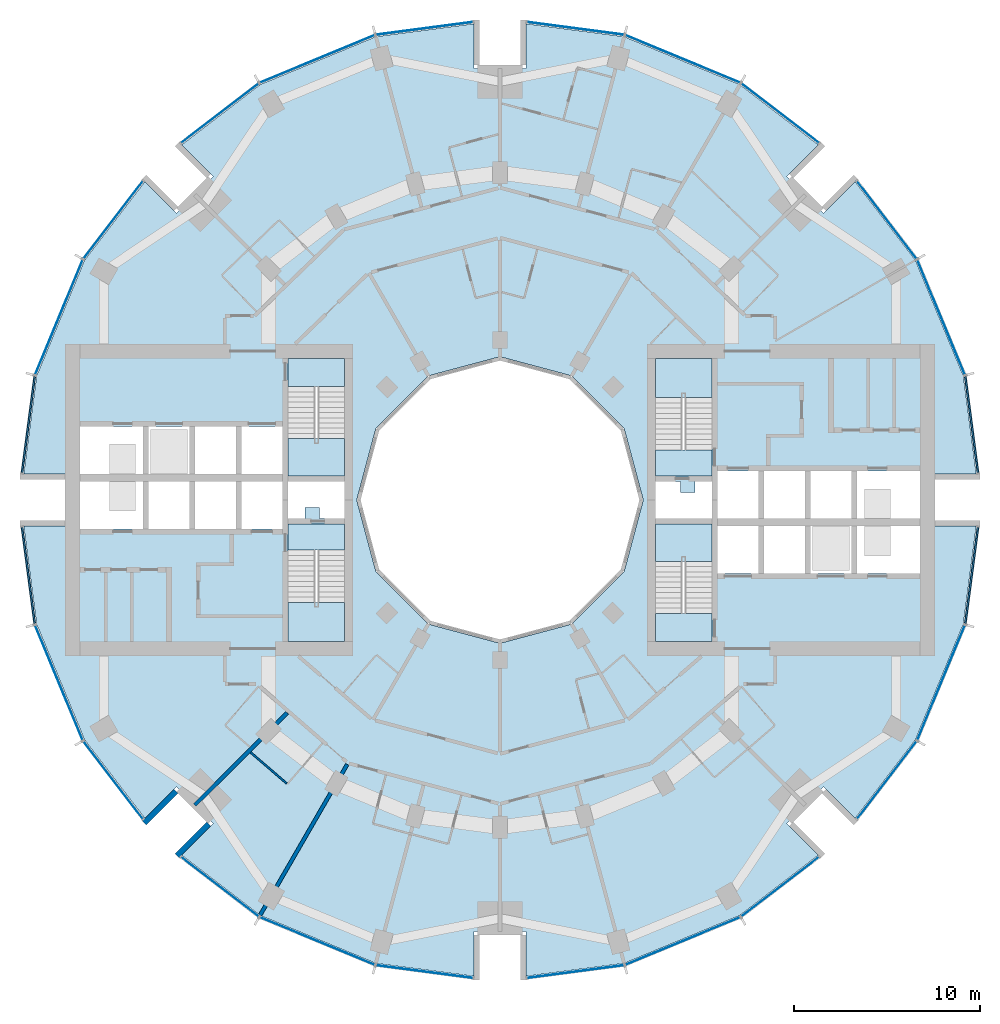
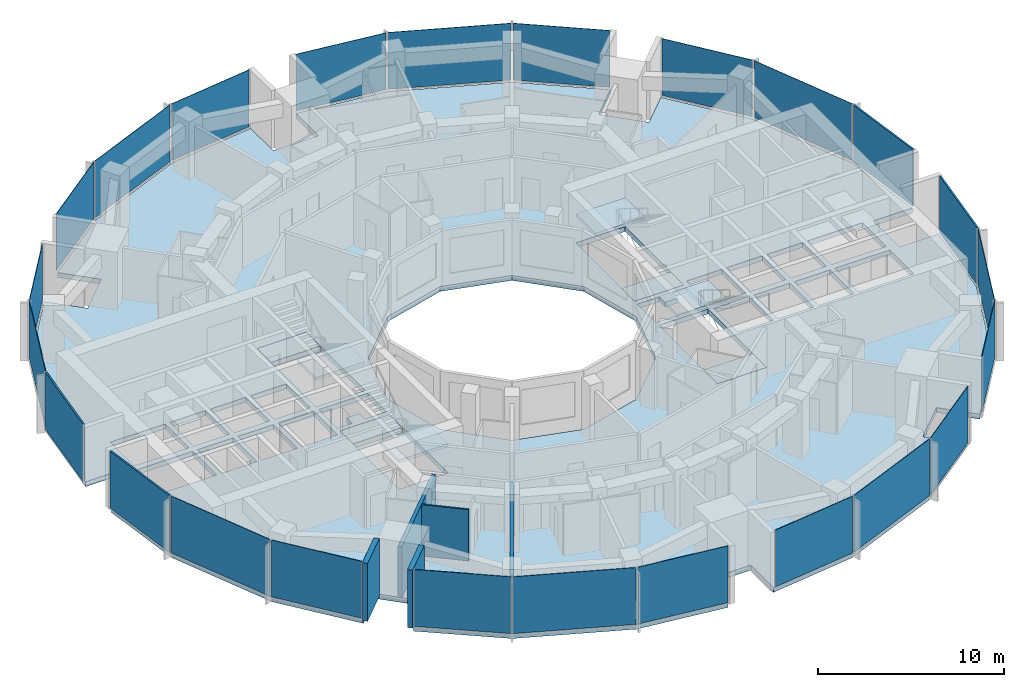
# One storey, part 7 of 15: 24 plates, 9 slabs, 5 walls, 28 elements without a shape of their own.
"""IFC4 building model written with IfcOpenShell, lengths in metres."""

from ifc_helpers import new_model, si_unit, direction, frame, frame_2d, origin, origin_2d, place, context, subcontext, project, spatial, polyline, rectangle, outline, extrude, material, layer, layer_set, type_object, element, aggregate, save


model = new_model("IFC4")

# Units and contexts
model_context = context("Model", 3, precision=1e-05, world=origin(), true_north=direction((0.0, 1.0)))
body_context = subcontext(model_context, "Body", "Model", "MODEL_VIEW")
ifc_project = project(units=[si_unit("LENGTHUNIT", "METRE"), si_unit("AREAUNIT", "SQUARE_METRE"), si_unit("VOLUMEUNIT", "CUBIC_METRE"), si_unit("PLANEANGLEUNIT", "RADIAN"), si_unit("MASSUNIT", "GRAM", prefix="KILO")], contexts=[model_context])

# Site, building, storey
site_placement = place(None, origin())
site = spatial("IfcSite", under=ifc_project, at=site_placement, CompositionType="ELEMENT")
building_placement = place(site_placement, origin())
building = spatial("IfcBuilding", under=site, at=building_placement, Name="Torre Brocal", CompositionType="ELEMENT")
storey_placement = place(building_placement, frame((0.0, 0.0, 105.199951171875)))
storey = spatial("IfcBuildingStorey", under=building, at=storey_placement, Name="L24", CompositionType="ELEMENT", Elevation=105.199951171875)

# Curtain wall, plate
ifc_material_1 = material(Name="Aluminium and glass", Category="aluminium")
ifc_layer_1 = layer(ifc_material_1, 0.199951171875)
ifc_layer_set_1 = layer_set([ifc_layer_1], Name="Aluminium and glass")
curtain_wall_type_1 = type_object("IfcCurtainWallType", Name="CW-1 CURTAIN WALL 3800 HIGH", PredefinedType="NOTDEFINED", material=ifc_layer_set_1)
curtain_wall_1_placement = place(storey_placement, origin())
curtain_wall_1 = element("IfcCurtainWall", 1, at=curtain_wall_1_placement, inside=storey, type_object=curtain_wall_type_1, Name="CW-1 RUN 2", PredefinedType="NOTDEFINED")
ifc_material_2 = material(Name="Glass, dark tinted laminated", Category="glass")
ifc_layer_2 = layer(ifc_material_2, 0.031982421875)
ifc_layer_set_2 = layer_set([ifc_layer_2], Name="Glass, dark tinted laminated")
plate_type_1 = type_object("IfcPlateType", Name="CW-1 GLASS PANEL 32", PredefinedType="CURTAIN_PANEL", material=ifc_layer_set_2)
plate_1_placement = place(storey_placement, frame((103.722900390625, 84.826416015625, 0.080078125), z_axis=(0.0, 0.0, 1.0), x_axis=(-0.382683432333, 0.923879532525, 0.0)))
plate_1 = element("IfcPlate", 2, at=plate_1_placement, type_object=plate_type_1, Name="CW1-1 panel 1.1", PredefinedType="CURTAIN_PANEL", context=body_context, shape_type="SweptSolid", body=[
    extrude(rectangle(XDim=6.64111328125, YDim=0.031982421875, at=origin_2d()), origin(), (0.0, 0.0, 1.0), 3.719970703125),
])
aggregate(curtain_wall_1, [plate_1])

curtain_wall_2_placement = place(storey_placement, origin())
curtain_wall_2 = element("IfcCurtainWall", 3, at=curtain_wall_2_placement, inside=storey, type_object=curtain_wall_type_1, Name="CW-1 RUN 3", PredefinedType="NOTDEFINED")
plate_2_placement = place(storey_placement, frame((100.80126953125, 90.0712890625, 0.080078125), z_axis=(0.0, 0.0, 1.0), x_axis=(-0.60876142905, 0.793353340259, 0.0)))
plate_2 = element("IfcPlate", 4, at=plate_2_placement, type_object=plate_type_1, Name="CW1-1 panel 1.1", PredefinedType="CURTAIN_PANEL", context=body_context, shape_type="SweptSolid", body=[
    extrude(rectangle(XDim=5.22900390625, YDim=0.031982421875, at=origin_2d()), origin(), (0.0, 0.0, 1.0), 3.719970703125),
])
aggregate(curtain_wall_2, [plate_2])

curtain_wall_3_placement = place(storey_placement, origin())
curtain_wall_3 = element("IfcCurtainWall", 5, at=curtain_wall_3_placement, inside=storey, type_object=curtain_wall_type_1, Name="CW-1 RUN 4", PredefinedType="NOTDEFINED")
plate_3_placement = place(storey_placement, frame((95.0712890625, 95.80126953125, 0.080078125), z_axis=(0.0, 0.0, 1.0), x_axis=(-0.793353340259, 0.60876142905, 0.0)))
plate_3 = element("IfcPlate", 6, at=plate_3_placement, type_object=plate_type_1, Name="CW1-1 panel 1.1", PredefinedType="CURTAIN_PANEL", context=body_context, shape_type="SweptSolid", body=[
    extrude(rectangle(XDim=5.22900390625, YDim=0.031982421875, at=origin_2d()), origin(), (0.0, 0.0, 1.0), 3.719970703125),
])
aggregate(curtain_wall_3, [plate_3])

curtain_wall_4_placement = place(storey_placement, origin())
curtain_wall_4 = element("IfcCurtainWall", 7, at=curtain_wall_4_placement, inside=storey, type_object=curtain_wall_type_1, Name="CW-1 RUN 5", PredefinedType="NOTDEFINED")
plate_4_placement = place(storey_placement, frame((89.826416015625, 98.722900390625, 0.080078125), z_axis=(0.0, 0.0, 1.0), x_axis=(-0.923879532525, 0.382683432333, 0.0)))
plate_4 = element("IfcPlate", 8, at=plate_4_placement, type_object=plate_type_1, Name="CW1-1 panel 1.1", PredefinedType="CURTAIN_PANEL", context=body_context, shape_type="SweptSolid", body=[
    extrude(rectangle(XDim=6.64111328125, YDim=0.031982421875, at=origin_2d()), origin(), (0.0, 0.0, 1.0), 3.719970703125),
])
aggregate(curtain_wall_4, [plate_4])

curtain_wall_5_placement = place(storey_placement, origin())
curtain_wall_5 = element("IfcCurtainWall", 9, at=curtain_wall_5_placement, inside=storey, type_object=curtain_wall_type_1, Name="CW-1 RUN 6", PredefinedType="NOTDEFINED")
plate_5_placement = place(storey_placement, frame((84.051513671875, 100.36572265625, 0.080078125), z_axis=(0.0, 0.0, 1.0), x_axis=(-0.991444861374, 0.13052619222, 0.0)))
plate_5 = element("IfcPlate", 10, at=plate_5_placement, type_object=plate_type_1, Name="CW1-1 panel 1.1", PredefinedType="CURTAIN_PANEL", context=body_context, shape_type="SweptSolid", body=[
    extrude(rectangle(XDim=5.22900390625, YDim=0.031982421875, at=origin_2d()), origin(), (0.0, 0.0, 1.0), 3.719970703125),
])
aggregate(curtain_wall_5, [plate_5])

curtain_wall_6_placement = place(storey_placement, origin())
curtain_wall_6 = element("IfcCurtainWall", 11, at=curtain_wall_6_placement, inside=storey, type_object=curtain_wall_type_1, Name="CW-1 RUN 7", PredefinedType="NOTDEFINED")
plate_6_placement = place(storey_placement, frame((75.948486328125, 100.36572265625, 0.080078125), z_axis=(0.0, 0.0, 1.0), x_axis=(-0.991444861374, -0.13052619222, 0.0)))
plate_6 = element("IfcPlate", 12, at=plate_6_placement, type_object=plate_type_1, Name="CW1-1 panel 1.1", PredefinedType="CURTAIN_PANEL", context=body_context, shape_type="SweptSolid", body=[
    extrude(rectangle(XDim=5.22900390625, YDim=0.031982421875, at=origin_2d()), origin(), (0.0, 0.0, 1.0), 3.719970703125),
])
aggregate(curtain_wall_6, [plate_6])

curtain_wall_7_placement = place(storey_placement, origin())
curtain_wall_7 = element("IfcCurtainWall", 13, at=curtain_wall_7_placement, inside=storey, type_object=curtain_wall_type_1, Name="CW-1 RUN 8", PredefinedType="NOTDEFINED")
plate_7_placement = place(storey_placement, frame((70.173583984375, 98.722900390625, 0.080078125), z_axis=(0.0, 0.0, 1.0), x_axis=(-0.923879532525, -0.382683432333, 0.0)))
plate_7 = element("IfcPlate", 14, at=plate_7_placement, type_object=plate_type_1, Name="CW1-1 panel 1.1", PredefinedType="CURTAIN_PANEL", context=body_context, shape_type="SweptSolid", body=[
    extrude(rectangle(XDim=6.64111328125, YDim=0.031982421875, at=origin_2d()), origin(), (0.0, 0.0, 1.0), 3.719970703125),
])
aggregate(curtain_wall_7, [plate_7])

curtain_wall_8_placement = place(storey_placement, origin())
curtain_wall_8 = element("IfcCurtainWall", 15, at=curtain_wall_8_placement, inside=storey, type_object=curtain_wall_type_1, Name="CW-1 RUN 9", PredefinedType="NOTDEFINED")
plate_8_placement = place(storey_placement, frame((64.9287109375, 95.80126953125, 0.080078125), z_axis=(0.0, 0.0, 1.0), x_axis=(-0.793353340259, -0.60876142905, 0.0)))
plate_8 = element("IfcPlate", 16, at=plate_8_placement, type_object=plate_type_1, Name="CW1-1 panel 1.1", PredefinedType="CURTAIN_PANEL", context=body_context, shape_type="SweptSolid", body=[
    extrude(rectangle(XDim=5.22900390625, YDim=0.031982421875, at=origin_2d()), origin(), (0.0, 0.0, 1.0), 3.719970703125),
])
aggregate(curtain_wall_8, [plate_8])

curtain_wall_9_placement = place(storey_placement, origin())
curtain_wall_9 = element("IfcCurtainWall", 17, at=curtain_wall_9_placement, inside=storey, type_object=curtain_wall_type_1, Name="CW-1 RUN 10", PredefinedType="NOTDEFINED")
plate_9_placement = place(storey_placement, frame((59.19873046875, 90.0712890625, 0.080078125), z_axis=(0.0, 0.0, 1.0), x_axis=(-0.60876142905, -0.793353340259, 0.0)))
plate_9 = element("IfcPlate", 18, at=plate_9_placement, type_object=plate_type_1, Name="CW1-1 panel 1.1", PredefinedType="CURTAIN_PANEL", context=body_context, shape_type="SweptSolid", body=[
    extrude(rectangle(XDim=5.22900390625, YDim=0.031982421875, at=origin_2d()), origin(), (0.0, 0.0, 1.0), 3.719970703125),
])
aggregate(curtain_wall_9, [plate_9])

curtain_wall_10_placement = place(storey_placement, origin())
curtain_wall_10 = element("IfcCurtainWall", 19, at=curtain_wall_10_placement, inside=storey, type_object=curtain_wall_type_1, Name="CW-1 RUN 11", PredefinedType="NOTDEFINED")
plate_10_placement = place(storey_placement, frame((56.277099609375, 84.826416015625, 0.080078125), z_axis=(0.0, 0.0, 1.0), x_axis=(-0.382683432333, -0.923879532525, 0.0)))
plate_10 = element("IfcPlate", 20, at=plate_10_placement, type_object=plate_type_1, Name="CW1-1 panel 1.1", PredefinedType="CURTAIN_PANEL", context=body_context, shape_type="SweptSolid", body=[
    extrude(rectangle(XDim=6.64111328125, YDim=0.031982421875, at=origin_2d()), origin(), (0.0, 0.0, 1.0), 3.719970703125),
])
aggregate(curtain_wall_10, [plate_10])

curtain_wall_11_placement = place(storey_placement, origin())
curtain_wall_11 = element("IfcCurtainWall", 21, at=curtain_wall_11_placement, inside=storey, type_object=curtain_wall_type_1, Name="CW-1 RUN 14", PredefinedType="NOTDEFINED")
plate_11_placement = place(storey_placement, frame((56.277099609375, 65.173583984375, 0.080078125), z_axis=(0.0, 0.0, 1.0), x_axis=(0.382683432333, -0.923879532525, 0.0)))
plate_11 = element("IfcPlate", 22, at=plate_11_placement, type_object=plate_type_1, Name="CW1-1 panel 1.1", PredefinedType="CURTAIN_PANEL", context=body_context, shape_type="SweptSolid", body=[
    extrude(rectangle(XDim=6.64111328125, YDim=0.031982421875, at=origin_2d()), origin(), (0.0, 0.0, 1.0), 3.719970703125),
])
aggregate(curtain_wall_11, [plate_11])

curtain_wall_12_placement = place(storey_placement, origin())
curtain_wall_12 = element("IfcCurtainWall", 23, at=curtain_wall_12_placement, inside=storey, type_object=curtain_wall_type_1, Name="CW-1 RUN 15", PredefinedType="NOTDEFINED")
plate_12_placement = place(storey_placement, frame((59.19873046875, 59.9287109375, 0.080078125), z_axis=(0.0, 0.0, 1.0), x_axis=(0.60876142905, -0.793353340259, 0.0)))
plate_12 = element("IfcPlate", 24, at=plate_12_placement, type_object=plate_type_1, Name="CW1-1 panel 1.1", PredefinedType="CURTAIN_PANEL", context=body_context, shape_type="SweptSolid", body=[
    extrude(rectangle(XDim=5.22900390625, YDim=0.031982421875, at=origin_2d()), origin(), (0.0, 0.0, 1.0), 3.719970703125),
])
aggregate(curtain_wall_12, [plate_12])

curtain_wall_13_placement = place(storey_placement, origin())
curtain_wall_13 = element("IfcCurtainWall", 25, at=curtain_wall_13_placement, inside=storey, type_object=curtain_wall_type_1, Name="CW-1 RUN 16", PredefinedType="NOTDEFINED")
plate_13_placement = place(storey_placement, frame((64.9287109375, 54.19873046875, 0.080078125), z_axis=(0.0, 0.0, 1.0), x_axis=(0.793353340259, -0.60876142905, 0.0)))
plate_13 = element("IfcPlate", 26, at=plate_13_placement, type_object=plate_type_1, Name="CW1-1 panel 1.1", PredefinedType="CURTAIN_PANEL", context=body_context, shape_type="SweptSolid", body=[
    extrude(rectangle(XDim=5.22900390625, YDim=0.031982421875, at=origin_2d()), origin(), (0.0, 0.0, 1.0), 3.719970703125),
])
aggregate(curtain_wall_13, [plate_13])

curtain_wall_14_placement = place(storey_placement, origin())
curtain_wall_14 = element("IfcCurtainWall", 27, at=curtain_wall_14_placement, inside=storey, type_object=curtain_wall_type_1, Name="CW-1 RUN 17", PredefinedType="NOTDEFINED")
plate_14_placement = place(storey_placement, frame((70.173583984375, 51.277099609375, 0.080078125), z_axis=(0.0, 0.0, 1.0), x_axis=(0.923879532525, -0.382683432333, 0.0)))
plate_14 = element("IfcPlate", 28, at=plate_14_placement, type_object=plate_type_1, Name="CW1-1 panel 1.1", PredefinedType="CURTAIN_PANEL", context=body_context, shape_type="SweptSolid", body=[
    extrude(rectangle(XDim=6.64111328125, YDim=0.031982421875, at=origin_2d()), origin(), (0.0, 0.0, 1.0), 3.719970703125),
])
aggregate(curtain_wall_14, [plate_14])

curtain_wall_15_placement = place(storey_placement, origin())
curtain_wall_15 = element("IfcCurtainWall", 29, at=curtain_wall_15_placement, inside=storey, type_object=curtain_wall_type_1, Name="CW-1 RUN 18", PredefinedType="NOTDEFINED")
plate_15_placement = place(storey_placement, frame((75.948486328125, 49.63427734375, 0.080078125), z_axis=(0.0, 0.0, 1.0), x_axis=(0.991444861374, -0.13052619222, 0.0)))
plate_15 = element("IfcPlate", 30, at=plate_15_placement, type_object=plate_type_1, Name="CW1-1 panel 1.1", PredefinedType="CURTAIN_PANEL", context=body_context, shape_type="SweptSolid", body=[
    extrude(rectangle(XDim=5.22900390625, YDim=0.031982421875, at=origin_2d()), origin(), (0.0, 0.0, 1.0), 3.719970703125),
])
aggregate(curtain_wall_15, [plate_15])

curtain_wall_16_placement = place(storey_placement, origin())
curtain_wall_16 = element("IfcCurtainWall", 31, at=curtain_wall_16_placement, inside=storey, type_object=curtain_wall_type_1, Name="CW-1 RUN 19", PredefinedType="NOTDEFINED")
plate_16_placement = place(storey_placement, frame((84.051513671875, 49.63427734375, 0.080078125), z_axis=(0.0, 0.0, 1.0), x_axis=(0.991444861374, 0.13052619222, 0.0)))
plate_16 = element("IfcPlate", 32, at=plate_16_placement, type_object=plate_type_1, Name="CW1-1 panel 1.1", PredefinedType="CURTAIN_PANEL", context=body_context, shape_type="SweptSolid", body=[
    extrude(rectangle(XDim=5.22900390625, YDim=0.031982421875, at=origin_2d()), origin(), (0.0, 0.0, 1.0), 3.719970703125),
])
aggregate(curtain_wall_16, [plate_16])

curtain_wall_17_placement = place(storey_placement, origin())
curtain_wall_17 = element("IfcCurtainWall", 33, at=curtain_wall_17_placement, inside=storey, type_object=curtain_wall_type_1, Name="CW-1 RUN 20", PredefinedType="NOTDEFINED")
plate_17_placement = place(storey_placement, frame((89.826416015625, 51.277099609375, 0.080078125), z_axis=(0.0, 0.0, 1.0), x_axis=(0.923879532525, 0.382683432333, 0.0)))
plate_17 = element("IfcPlate", 34, at=plate_17_placement, type_object=plate_type_1, Name="CW1-1 panel 1.1", PredefinedType="CURTAIN_PANEL", context=body_context, shape_type="SweptSolid", body=[
    extrude(rectangle(XDim=6.64111328125, YDim=0.031982421875, at=origin_2d()), origin(), (0.0, 0.0, 1.0), 3.719970703125),
])
aggregate(curtain_wall_17, [plate_17])

curtain_wall_18_placement = place(storey_placement, origin())
curtain_wall_18 = element("IfcCurtainWall", 35, at=curtain_wall_18_placement, inside=storey, type_object=curtain_wall_type_1, Name="CW-1 RUN 21", PredefinedType="NOTDEFINED")
plate_18_placement = place(storey_placement, frame((95.0712890625, 54.19873046875, 0.080078125), z_axis=(0.0, 0.0, 1.0), x_axis=(0.793353340259, 0.60876142905, 0.0)))
plate_18 = element("IfcPlate", 36, at=plate_18_placement, type_object=plate_type_1, Name="CW1-1 panel 1.1", PredefinedType="CURTAIN_PANEL", context=body_context, shape_type="SweptSolid", body=[
    extrude(rectangle(XDim=5.22900390625, YDim=0.031982421875, at=origin_2d()), origin(), (0.0, 0.0, 1.0), 3.719970703125),
])
aggregate(curtain_wall_18, [plate_18])

curtain_wall_19_placement = place(storey_placement, origin())
curtain_wall_19 = element("IfcCurtainWall", 37, at=curtain_wall_19_placement, inside=storey, type_object=curtain_wall_type_1, Name="CW-1 RUN 22", PredefinedType="NOTDEFINED")
plate_19_placement = place(storey_placement, frame((100.80126953125, 59.9287109375, 0.080078125), z_axis=(0.0, 0.0, 1.0), x_axis=(0.60876142905, 0.793353340259, 0.0)))
plate_19 = element("IfcPlate", 38, at=plate_19_placement, type_object=plate_type_1, Name="CW1-1 panel 1.1", PredefinedType="CURTAIN_PANEL", context=body_context, shape_type="SweptSolid", body=[
    extrude(rectangle(XDim=5.22900390625, YDim=0.031982421875, at=origin_2d()), origin(), (0.0, 0.0, 1.0), 3.719970703125),
])
aggregate(curtain_wall_19, [plate_19])

curtain_wall_20_placement = place(storey_placement, origin())
curtain_wall_20 = element("IfcCurtainWall", 39, at=curtain_wall_20_placement, inside=storey, type_object=curtain_wall_type_1, Name="CW-1 RUN 23", PredefinedType="NOTDEFINED")
plate_20_placement = place(storey_placement, frame((103.722900390625, 65.173583984375, 0.080078125), z_axis=(0.0, 0.0, 1.0), x_axis=(0.382683432333, 0.923879532525, 0.0)))
plate_20 = element("IfcPlate", 40, at=plate_20_placement, type_object=plate_type_1, Name="CW1-1 panel 1.1", PredefinedType="CURTAIN_PANEL", context=body_context, shape_type="SweptSolid", body=[
    extrude(rectangle(XDim=6.64111328125, YDim=0.031982421875, at=origin_2d()), origin(), (0.0, 0.0, 1.0), 3.719970703125),
])
aggregate(curtain_wall_20, [plate_20])

ifc_material_3 = material(Name="Aluminium and glass", Category="aluminium")
ifc_layer_3 = layer(ifc_material_3, 0.199951171875)
ifc_layer_set_3 = layer_set([ifc_layer_3], Name="Aluminium and glass")
curtain_wall_type_2 = type_object("IfcCurtainWallType", Name="CW-1B CURTAIN WALL 3800 HIGH", PredefinedType="NOTDEFINED", material=ifc_layer_set_3)
curtain_wall_21_placement = place(storey_placement, origin())
curtain_wall_21 = element("IfcCurtainWall", 41, at=curtain_wall_21_placement, inside=storey, type_object=curtain_wall_type_2, Name="CW-1B RUN 1", PredefinedType="NOTDEFINED")
ifc_material_4 = material(Name="Aluminium composite panel", Category="aluminium")
ifc_layer_4 = layer(ifc_material_4, 0.10009765625)
ifc_layer_set_4 = layer_set([ifc_layer_4], Name="Aluminium composite panel")
plate_type_2 = type_object("IfcPlateType", Name="CW-1B OPAQUE PANEL 100", PredefinedType="CURTAIN_PANEL", material=ifc_layer_set_4)
plate_21_placement = place(storey_placement, frame((105.36572265625, 79.051513671875, 0.080078125), z_axis=(0.0, 0.0, 1.0), x_axis=(-0.13052619222, 0.991444861374, 0.0)))
plate_21 = element("IfcPlate", 42, at=plate_21_placement, type_object=plate_type_2, Name="CW1B-1 panel 1.1", PredefinedType="CURTAIN_PANEL", context=body_context, shape_type="SweptSolid", body=[
    extrude(rectangle(XDim=5.22900390625, YDim=0.10009765625, at=origin_2d()), origin(), (0.0, 0.0, 1.0), 3.719970703125),
])
aggregate(curtain_wall_21, [plate_21])

curtain_wall_22_placement = place(storey_placement, origin())
curtain_wall_22 = element("IfcCurtainWall", 43, at=curtain_wall_22_placement, inside=storey, type_object=curtain_wall_type_2, Name="CW-1B RUN 12", PredefinedType="NOTDEFINED")
plate_22_placement = place(storey_placement, frame((54.63427734375, 79.051513671875, 0.080078125), z_axis=(0.0, 0.0, 1.0), x_axis=(-0.13052619222, -0.991444861374, 0.0)))
plate_22 = element("IfcPlate", 44, at=plate_22_placement, type_object=plate_type_2, Name="CW1B-1 panel 1.1", PredefinedType="CURTAIN_PANEL", context=body_context, shape_type="SweptSolid", body=[
    extrude(rectangle(XDim=5.22900390625, YDim=0.10009765625, at=origin_2d()), origin(), (0.0, 0.0, 1.0), 3.719970703125),
])
aggregate(curtain_wall_22, [plate_22])

curtain_wall_23_placement = place(storey_placement, origin())
curtain_wall_23 = element("IfcCurtainWall", 45, at=curtain_wall_23_placement, inside=storey, type_object=curtain_wall_type_2, Name="CW-1B RUN 13", PredefinedType="NOTDEFINED")
plate_23_placement = place(storey_placement, frame((54.63427734375, 70.948486328125, 0.080078125), z_axis=(0.0, 0.0, 1.0), x_axis=(0.13052619222, -0.991444861374, 0.0)))
plate_23 = element("IfcPlate", 46, at=plate_23_placement, type_object=plate_type_2, Name="CW1B-1 panel 1.1", PredefinedType="CURTAIN_PANEL", context=body_context, shape_type="SweptSolid", body=[
    extrude(rectangle(XDim=5.22900390625, YDim=0.10009765625, at=origin_2d()), origin(), (0.0, 0.0, 1.0), 3.719970703125),
])
aggregate(curtain_wall_23, [plate_23])

curtain_wall_24_placement = place(storey_placement, origin())
curtain_wall_24 = element("IfcCurtainWall", 47, at=curtain_wall_24_placement, inside=storey, type_object=curtain_wall_type_2, Name="CW-1B RUN 24", PredefinedType="NOTDEFINED")
plate_24_placement = place(storey_placement, frame((105.36572265625, 70.948486328125, 0.080078125), z_axis=(0.0, 0.0, 1.0), x_axis=(0.13052619222, 0.991444861374, 0.0)))
plate_24 = element("IfcPlate", 48, at=plate_24_placement, type_object=plate_type_2, Name="CW1B-1 panel 1.1", PredefinedType="CURTAIN_PANEL", context=body_context, shape_type="SweptSolid", body=[
    extrude(rectangle(XDim=5.22900390625, YDim=0.10009765625, at=origin_2d()), origin(), (0.0, 0.0, 1.0), 3.719970703125),
])
aggregate(curtain_wall_24, [plate_24])

# Stair, slab
ifc_material_5 = material(Name="Concrete C50", Category="concrete")
stair_type = type_object("IfcStairType", Name="EXIT STAIR", PredefinedType="HALF_TURN_STAIR", material=ifc_material_5)
stair_1_placement = place(storey_placement, origin())
stair_1 = element("IfcStair", 49, at=stair_1_placement, inside=storey, type_object=stair_type, Name="EXIT STAIR ST1", PredefinedType="HALF_TURN_STAIR")
ifc_material_6 = material(Name="Concrete C50", Category="concrete")
ifc_layer_5 = layer(ifc_material_6, 0.320068359375)
ifc_layer_set_5 = layer_set([ifc_layer_5], Name="Concrete C50")
slab_type_1 = type_object("IfcSlabType", Name="FLOOR LANDING 320", PredefinedType="LANDING", material=ifc_layer_set_5)
slab_1_placement = place(storey_placement, frame((0.0, 0.0, -0.320068359375)))
slab_1 = element("IfcSlab", 50, at=slab_1_placement, type_object=slab_type_1, Name="ST1 landing 1", PredefinedType="LANDING", context=body_context, shape_type="SweptSolid", body=[
    extrude(outline(polyline([(88.35009765625, 76.300048828125), (91.39990234375, 76.300048828125), (91.39990234375, 77.699951171875), (88.35009765625, 77.699951171875), (88.35009765625, 76.300048828125)])), origin(), (0.0, 0.0, 1.0), 0.320068359375),
])

stair_2_placement = place(storey_placement, origin())
stair_2 = element("IfcStair", 51, at=stair_2_placement, inside=storey, type_object=stair_type, Name="EXIT STAIR ST2", PredefinedType="HALF_TURN_STAIR")
slab_2_placement = place(storey_placement, frame((0.0, 0.0, -0.320068359375)))
slab_2 = element("IfcSlab", 52, at=slab_2_placement, type_object=slab_type_1, Name="ST2 landing 1", PredefinedType="LANDING", context=body_context, shape_type="SweptSolid", body=[
    extrude(outline(polyline([(88.35009765625, 67.39990234375), (91.39990234375, 67.39990234375), (91.39990234375, 68.89990234375), (88.35009765625, 68.89990234375), (88.35009765625, 67.39990234375)])), origin(), (0.0, 0.0, 1.0), 0.320068359375),
])

stair_3_placement = place(storey_placement, origin())
stair_3 = element("IfcStair", 53, at=stair_3_placement, inside=storey, type_object=stair_type, Name="EXIT STAIR ST3", PredefinedType="HALF_TURN_STAIR")
slab_3_placement = place(storey_placement, frame((0.0, 0.0, -0.320068359375)))
slab_3 = element("IfcSlab", 54, at=slab_3_placement, type_object=slab_type_1, Name="ST3 landing 1", PredefinedType="LANDING", context=body_context, shape_type="SweptSolid", body=[
    extrude(outline(polyline([(71.64990234375, 73.699951171875), (68.60009765625, 73.699951171875), (68.60009765625, 72.300048828125), (71.64990234375, 72.300048828125), (71.64990234375, 73.699951171875)])), origin(), (0.0, 0.0, 1.0), 0.320068359375),
])

stair_4_placement = place(storey_placement, origin())
stair_4 = element("IfcStair", 55, at=stair_4_placement, inside=storey, type_object=stair_type, Name="EXIT STAIR ST4", PredefinedType="HALF_TURN_STAIR")
slab_4_placement = place(storey_placement, frame((0.0, 0.0, -0.320068359375)))
slab_4 = element("IfcSlab", 56, at=slab_4_placement, type_object=slab_type_1, Name="ST4 landing 1", PredefinedType="LANDING", context=body_context, shape_type="SweptSolid", body=[
    extrude(outline(polyline([(71.64990234375, 82.60009765625), (68.60009765625, 82.60009765625), (68.60009765625, 81.10009765625), (71.64990234375, 81.10009765625), (71.64990234375, 82.60009765625)])), origin(), (0.0, 0.0, 1.0), 0.320068359375),
])

# Slab
ifc_material_7 = material(Name="Concrete C50", Category="concrete")
ifc_layer_6 = layer(ifc_material_7, 0.199951171875)
ifc_layer_set_6 = layer_set([ifc_layer_6], Name="Concrete C50")
slab_type_2 = type_object("IfcSlabType", Name="MID LANDING +1900", PredefinedType="LANDING", material=ifc_layer_set_6)
slab_5_placement = place(storey_placement, frame((0.0, 0.0, 1.699951171875)))
slab_5 = element("IfcSlab", 57, at=slab_5_placement, type_object=slab_type_2, Name="ST1 landing 2", PredefinedType="LANDING", context=body_context, shape_type="SweptSolid", body=[
    extrude(outline(polyline([(88.35009765625, 80.5), (91.39990234375, 80.5), (91.39990234375, 82.60009765625), (88.35009765625, 82.60009765625), (88.35009765625, 80.5)])), origin(), (0.0, 0.0, 1.0), 0.2001953125),
])

aggregate(stair_1, [slab_1, slab_5])

slab_6_placement = place(storey_placement, frame((0.0, 0.0, 1.699951171875)))
slab_6 = element("IfcSlab", 58, at=slab_6_placement, type_object=slab_type_2, Name="ST2 landing 2", PredefinedType="LANDING", context=body_context, shape_type="SweptSolid", body=[
    extrude(outline(polyline([(88.35009765625, 71.699951171875), (91.39990234375, 71.699951171875), (91.39990234375, 73.699951171875), (88.35009765625, 73.699951171875), (88.35009765625, 71.699951171875)])), origin(), (0.0, 0.0, 1.0), 0.2001953125),
])

aggregate(stair_2, [slab_2, slab_6])

slab_7_placement = place(storey_placement, frame((0.0, 0.0, 1.699951171875)))
slab_7 = element("IfcSlab", 59, at=slab_7_placement, type_object=slab_type_2, Name="ST3 landing 2", PredefinedType="LANDING", context=body_context, shape_type="SweptSolid", body=[
    extrude(outline(polyline([(71.64990234375, 69.5), (68.60009765625, 69.5), (68.60009765625, 67.39990234375), (71.64990234375, 67.39990234375), (71.64990234375, 69.5)])), origin(), (0.0, 0.0, 1.0), 0.2001953125),
])

aggregate(stair_3, [slab_3, slab_7])

slab_8_placement = place(storey_placement, frame((0.0, 0.0, 1.699951171875)))
slab_8 = element("IfcSlab", 60, at=slab_8_placement, type_object=slab_type_2, Name="ST4 landing 2", PredefinedType="LANDING", context=body_context, shape_type="SweptSolid", body=[
    extrude(outline(polyline([(71.64990234375, 78.300048828125), (68.60009765625, 78.300048828125), (68.60009765625, 76.300048828125), (71.64990234375, 76.300048828125), (71.64990234375, 78.300048828125)])), origin(), (0.0, 0.0, 1.0), 0.2001953125),
])

aggregate(stair_4, [slab_4, slab_8])

ifc_material_8 = material(Name="Concrete C45", Category="concrete")
ifc_layer_7 = layer(ifc_material_8, 0.320068359375)
ifc_layer_set_7 = layer_set([ifc_layer_7], Name="Concrete C45")
slab_type_3 = type_object("IfcSlabType", Name="PT FLOOR SLAB 320 C45", PredefinedType="FLOOR", material=ifc_layer_set_7)
slab_9_placement = place(storey_placement, frame((0.0, 0.0, -0.320068359375)))
element("IfcSlab", 61, at=slab_9_placement, inside=storey, type_object=slab_type_3, Name="Slab ST-05", PredefinedType="FLOOR", context=body_context, shape_type="SweptSolid", body=[
    extrude(outline(polyline([(103.199951171875, 76.39990234375), (103.199951171875, 73.60009765625), (105.614013671875, 73.60009765625), (104.919189453125, 68.322998046875), (102.342041015625, 62.100830078125), (99.101806640625, 57.878173828125), (97.394775390625, 59.5849609375), (95.4150390625, 57.605224609375), (97.121826171875, 55.898193359375), (92.899169921875, 52.657958984375), (86.677001953125, 50.080810546875), (81.39990234375, 49.385986328125), (81.39990234375, 51.800048828125), (78.60009765625, 51.800048828125), (78.60009765625, 49.385986328125), (73.322998046875, 50.080810546875), (67.100830078125, 52.657958984375), (62.878173828125, 55.898193359375), (64.5849609375, 57.605224609375), (62.605224609375, 59.5849609375), (60.898193359375, 57.878173828125), (57.657958984375, 62.100830078125), (55.080810546875, 68.322998046875), (54.385986328125, 73.60009765625), (56.800048828125, 73.60009765625), (56.800048828125, 76.39990234375), (54.385986328125, 76.39990234375), (55.080810546875, 81.677001953125), (57.657958984375, 87.899169921875), (60.898193359375, 92.121826171875), (62.605224609375, 90.4150390625), (64.5849609375, 92.394775390625), (62.878173828125, 94.101806640625), (67.100830078125, 97.342041015625), (73.322998046875, 99.919189453125), (78.60009765625, 100.614013671875), (78.60009765625, 98.199951171875), (81.39990234375, 98.199951171875), (81.39990234375, 100.614013671875), (86.677001953125, 99.919189453125), (92.899169921875, 97.342041015625), (97.121826171875, 94.101806640625), (95.4150390625, 92.394775390625), (97.394775390625, 90.4150390625), (99.101806640625, 92.121826171875), (102.342041015625, 87.899169921875), (104.919189453125, 81.677001953125), (105.614013671875, 76.39990234375), (103.199951171875, 76.39990234375)]), holes=[polyline([(102.60009765625, 74.0), (102.60009765625, 76.550048828125), (99.199951171875, 76.550048828125), (99.199951171875, 74.0), (102.60009765625, 74.0)]), polyline([(102.60009765625, 71.050048828125), (102.60009765625, 73.60009765625), (99.199951171875, 73.60009765625), (99.199951171875, 71.050048828125), (102.60009765625, 71.050048828125)]), polyline([(98.89990234375, 76.550048828125), (96.699951171875, 76.550048828125), (96.699951171875, 74.0), (98.89990234375, 74.0), (98.89990234375, 76.550048828125)]), polyline([(98.89990234375, 71.050048828125), (98.89990234375, 73.60009765625), (96.699951171875, 73.60009765625), (96.699951171875, 71.050048828125), (98.89990234375, 71.050048828125)]), polyline([(96.39990234375, 73.60009765625), (94.199951171875, 73.60009765625), (94.199951171875, 71.050048828125), (96.39990234375, 71.050048828125), (96.39990234375, 73.60009765625)]), polyline([(96.39990234375, 74.0), (96.39990234375, 76.550048828125), (94.199951171875, 76.550048828125), (94.199951171875, 74.0), (96.39990234375, 74.0)]), polyline([(93.89990234375, 73.60009765625), (91.699951171875, 73.60009765625), (91.699951171875, 71.050048828125), (93.89990234375, 71.050048828125), (93.89990234375, 73.60009765625)]), polyline([(93.89990234375, 74.0), (93.89990234375, 76.550048828125), (91.699951171875, 76.550048828125), (91.699951171875, 74.0), (93.89990234375, 74.0)]), polyline([(91.39990234375, 76.300048828125), (91.39990234375, 82.60009765625), (88.35009765625, 82.60009765625), (88.35009765625, 76.300048828125), (91.39990234375, 76.300048828125)]), polyline([(91.39990234375, 73.699951171875), (88.35009765625, 73.699951171875), (88.35009765625, 67.39990234375), (91.39990234375, 67.39990234375), (91.39990234375, 73.699951171875)]), polyline([(89.699951171875, 76.0), (88.35009765625, 76.0), (88.35009765625, 74.0), (91.39990234375, 74.0), (91.39990234375, 76.0), (90.5, 76.0), (90.5, 75.39990234375), (89.699951171875, 75.39990234375), (89.699951171875, 76.0)]), polyline([(80.0, 82.70703125), (76.146484375, 81.674560546875), (73.325439453125, 78.853515625), (72.29296875, 75.0), (73.325439453125, 71.146484375), (76.146484375, 68.325439453125), (80.0, 67.29296875), (83.853515625, 68.325439453125), (86.674560546875, 71.146484375), (87.70703125, 75.0), (86.674560546875, 78.853515625), (83.853515625, 81.674560546875), (80.0, 82.70703125)]), polyline([(68.60009765625, 82.60009765625), (68.60009765625, 76.300048828125), (71.64990234375, 76.300048828125), (71.64990234375, 82.60009765625), (68.60009765625, 82.60009765625)]), polyline([(70.300048828125, 74.0), (71.64990234375, 74.0), (71.64990234375, 76.0), (68.60009765625, 76.0), (68.60009765625, 74.0), (69.5, 74.0), (69.5, 74.60009765625), (70.300048828125, 74.60009765625), (70.300048828125, 74.0)]), polyline([(68.60009765625, 67.39990234375), (71.64990234375, 67.39990234375), (71.64990234375, 73.699951171875), (68.60009765625, 73.699951171875), (68.60009765625, 67.39990234375)]), polyline([(66.10009765625, 78.949951171875), (66.10009765625, 76.39990234375), (68.300048828125, 76.39990234375), (68.300048828125, 78.949951171875), (66.10009765625, 78.949951171875)]), polyline([(66.10009765625, 76.0), (66.10009765625, 73.449951171875), (68.300048828125, 73.449951171875), (68.300048828125, 76.0), (66.10009765625, 76.0)]), polyline([(63.60009765625, 76.0), (63.60009765625, 73.449951171875), (65.800048828125, 73.449951171875), (65.800048828125, 76.0), (63.60009765625, 76.0)]), polyline([(63.60009765625, 76.39990234375), (65.800048828125, 76.39990234375), (65.800048828125, 78.949951171875), (63.60009765625, 78.949951171875), (63.60009765625, 76.39990234375)]), polyline([(61.10009765625, 78.949951171875), (61.10009765625, 76.39990234375), (63.300048828125, 76.39990234375), (63.300048828125, 78.949951171875), (61.10009765625, 78.949951171875)]), polyline([(61.10009765625, 73.449951171875), (63.300048828125, 73.449951171875), (63.300048828125, 76.0), (61.10009765625, 76.0), (61.10009765625, 73.449951171875)]), polyline([(57.39990234375, 73.449951171875), (60.800048828125, 73.449951171875), (60.800048828125, 76.0), (57.39990234375, 76.0), (57.39990234375, 73.449951171875)]), polyline([(57.39990234375, 78.949951171875), (57.39990234375, 76.39990234375), (60.800048828125, 76.39990234375), (60.800048828125, 78.949951171875), (57.39990234375, 78.949951171875)])]), origin(), (0.0, 0.0, 1.0), 0.320068359375),
])

# Walls
ifc_material_9 = material(Name="Concrete C80", Category="concrete")
ifc_layer_8 = layer(ifc_material_9, 0.300048828125)
ifc_layer_set_8 = layer_set([ifc_layer_8], Name="Concrete C80")
wall_type_1 = type_object("IfcWallType", Name="NOTCH RETURN WALL 300 C80", PredefinedType="NOTDEFINED", material=ifc_layer_set_8)
for number, where, z_axis, x_axis, name in (
    (62, (62.56982421875, 59.337646484375, 0.0), (0.0, 0.0, 1.0), (-0.707106781187, -0.707106781187, 0.0), "NOTCH RETURN WALL"),
    (63, (64.337646484375, 57.56982421875, 0.0), (0.0, 0.0, 1.0), (-0.707106781187, -0.707106781187, 0.0), "NOTCH RETURN WALL"),
):
    element("IfcWall", number, at=place(storey_placement, frame(where, z_axis=z_axis, x_axis=x_axis)), inside=storey, type_object=wall_type_1, Name=name, PredefinedType="NOTDEFINED", context=body_context, shape_type="SweptSolid", body=[
        extrude(rectangle(XDim=2.415771484375, YDim=0.300048828125, at=frame_2d((1.2080078125, 0.0))), origin(), (0.0, 0.0, 1.0), 3.800048828125),
    ])
ifc_material_10 = material(Name="Gypsum board", Category="Gypsum")
ifc_layer_9 = layer(ifc_material_10, 0.10009765625)
ifc_layer_set_9 = layer_set([ifc_layer_9], Name="Gypsum board")
wall_type_2 = type_object("IfcWallType", Name="PARTITION 100", PredefinedType="PARTITIONING", material=ifc_layer_set_9)
wall_1_placement = place(storey_placement, frame((66.57568359375, 61.434814453125, 0.0), z_axis=(0.0, 0.0, 1.0), x_axis=(0.757970550281, -0.652288774169, 0.0)))
element("IfcWall", 64, at=wall_1_placement, inside=storey, type_object=wall_type_2, Name="BATHROOM WALL", PredefinedType="PARTITIONING", context=body_context, shape_type="SweptSolid", body=[
    extrude(rectangle(XDim=2.575927734375, YDim=0.10009765625, at=frame_2d((1.2880859375, 0.0))), origin(), (0.0, 0.0, 1.0), 3.35009765625),
])
ifc_material_11 = material(Name="Gypsum board", Category="Gypsum")
ifc_layer_10 = layer(ifc_material_11, 0.199951171875)
ifc_layer_set_10 = layer_set([ifc_layer_10], Name="Gypsum board")
wall_type_3 = type_object("IfcWallType", Name="PARTITION 200 EI60", PredefinedType="PARTITIONING", material=ifc_layer_set_10)
wall_2_placement = place(storey_placement, frame((63.592041015625, 58.59912109375, 0.0), z_axis=(0.0, 0.0, 1.0), x_axis=(0.707281009781, 0.706932509653, 0.0)))
element("IfcWall", 65, at=wall_2_placement, inside=storey, type_object=wall_type_3, Name="BATHROOM WALL", PredefinedType="PARTITIONING", context=body_context, shape_type="SweptSolid", body=[
    extrude(rectangle(XDim=7.00537109375, YDim=0.199951171875, at=frame_2d((3.502685546875, 0.0))), origin(), (0.0, 0.0, 1.0), 3.35009765625),
])
wall_3_placement = place(storey_placement, frame((67.09375, 52.662841796875, 0.0), z_axis=(0.0, 0.0, 1.0), x_axis=(0.500236379769, 0.865888886841, 0.0)))
element("IfcWall", 66, at=wall_3_placement, inside=storey, type_object=wall_type_3, Name="PARTY PARTITION", PredefinedType="PARTITIONING", context=body_context, shape_type="SweptSolid", body=[
    extrude(rectangle(XDim=9.375, YDim=0.199951171875, at=frame_2d((4.6875, 0.0))), origin(), (0.0, 0.0, 1.0), 3.35009765625),
])

save(model, "model.ifc")
